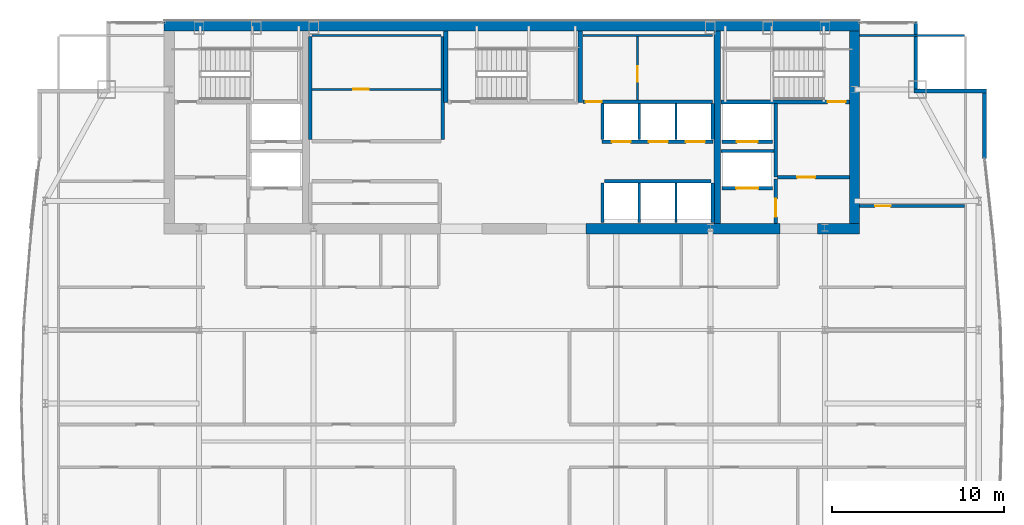
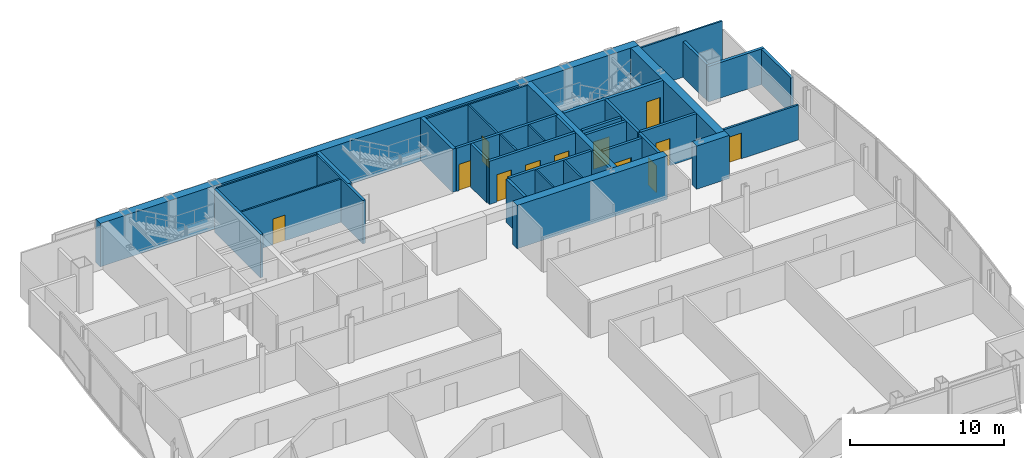
# One storey, part 26 of 29: 36 walls, 12 doors, 12 openings.
"""IFC4 building model written with IfcOpenShell, lengths in metres."""

from ifc_helpers import new_model, si_unit, direction, frame, frame_2d, origin, place, context, subcontext, project, spatial, rectangle, extrude, material, layer, layer_set, type_object, element, fill, save


model = new_model("IFC4")

# Units and contexts
model_context = context("Model", 3, precision=1e-05, world=origin(), true_north=direction((0.0, 1.0)))
body_context = subcontext(model_context, "Body", "Model", "MODEL_VIEW")
ifc_project = project(units=[si_unit("LENGTHUNIT", "METRE"), si_unit("AREAUNIT", "SQUARE_METRE"), si_unit("VOLUMEUNIT", "CUBIC_METRE"), si_unit("PLANEANGLEUNIT", "RADIAN"), si_unit("MASSUNIT", "GRAM", prefix="KILO")], contexts=[model_context])

# Site, building, storey
site_placement = place(None, origin())
site = spatial("IfcSite", under=ifc_project, at=site_placement, CompositionType="ELEMENT")
building_placement = place(site_placement, origin())
building = spatial("IfcBuilding", under=site, at=building_placement, Name="Khoronbel Lancet Exchange", CompositionType="ELEMENT")
storey_placement = place(building_placement, frame((0.0, 0.0, 242.60009765625)))
storey = spatial("IfcBuildingStorey", under=building, at=storey_placement, Name="L62", CompositionType="ELEMENT", Elevation=242.60009765625)

# Walls
ifc_material_1 = material(Name="Concrete C60/75", Category="concrete")
ifc_layer_1 = layer(ifc_material_1, 0.60009765625, Name="Concrete C60/75")
ifc_layer_set_1 = layer_set([ifc_layer_1], Name="Concrete C60/75")
wall_type_1 = type_object("IfcWallType", Name="WL-CW3", PredefinedType="SHEAR", material=ifc_layer_set_1)
wall_1_placement = place(storey_placement, frame((16.199951171875, 53.39990234375, 0.0), z_axis=(0.0, 0.0, 1.0), x_axis=(1.0, 0.0, 0.0)))
element("IfcWall", 1, at=wall_1_placement, inside=storey, type_object=wall_type_1, Name="Level L62 rear core north shear wall", PredefinedType="SHEAR", context=body_context, shape_type="SweptSolid", body=[
    extrude(rectangle(XDim=40.5, YDim=0.60009765625, at=frame_2d((20.25, 0.0))), origin(), (0.0, 0.0, 1.0), 3.43994140625),
])
wall_2_placement = place(storey_placement, frame((56.39990234375, 53.10009765625, 0.0), z_axis=(0.0, 0.0, 1.0), x_axis=(0.0, -1.0, 0.0)))
element("IfcWall", 2, at=wall_2_placement, inside=storey, type_object=wall_type_1, Name="Level L62 rear core east shear wall", PredefinedType="SHEAR", context=body_context, shape_type="SweptSolid", body=[
    extrude(rectangle(XDim=11.2001953125, YDim=0.60009765625, at=frame_2d((5.60009765625, 0.0))), origin(), (0.0, 0.0, 1.0), 3.43994140625),
])
wall_3_placement = place(storey_placement, frame((52.050048828125, 41.60009765625, 0.0), z_axis=(0.0, 0.0, 1.0), x_axis=(-1.0, 0.0, 0.0)))
element("IfcWall", 3, at=wall_3_placement, inside=storey, type_object=wall_type_1, Name="Level L62 rear core south shear wall pier P4", PredefinedType="SHEAR", context=body_context, shape_type="SweptSolid", body=[
    extrude(rectangle(XDim=11.300048828125, YDim=0.60009765625, at=frame_2d((5.64990234375, 0.0))), origin(), (0.0, 0.0, 1.0), 3.43994140625),
])
wall_4_placement = place(storey_placement, frame((56.699951171875, 41.60009765625, 0.0), z_axis=(0.0, 0.0, 1.0), x_axis=(-1.0, 0.0, 0.0)))
element("IfcWall", 4, at=wall_4_placement, inside=storey, type_object=wall_type_1, Name="Level L62 rear core south shear wall pier P5", PredefinedType="SHEAR", context=body_context, shape_type="SweptSolid", body=[
    extrude(rectangle(XDim=2.449951171875, YDim=0.60009765625, at=frame_2d((1.22509765625, 0.0))), origin(), (0.0, 0.0, 1.0), 3.43994140625),
])
ifc_material_2 = material(Name="Precast concrete C40/50", Category="concrete")
ifc_layer_2 = layer(ifc_material_2, 0.25, Name="Precast concrete C40/50")
ifc_layer_set_2 = layer_set([ifc_layer_2], Name="Precast concrete C40/50")
wall_type_2 = type_object("IfcWallType", Name="WL-EXT250", PredefinedType="SOLIDWALL", material=ifc_layer_set_2)
wall_5_placement = place(storey_placement, frame((59.9599609375, 53.6298828125, 0.0), z_axis=(0.0, 0.0, 1.0), x_axis=(0.0, -1.0, 0.0)))
element("IfcWall", 5, at=wall_5_placement, inside=storey, type_object=wall_type_2, Name="Level L62 notched-corner limestone pier 14", PredefinedType="SOLIDWALL", context=body_context, shape_type="SweptSolid", body=[
    extrude(rectangle(XDim=3.909912109375, YDim=0.219970703125, at=frame_2d((1.955078125, 0.0))), origin(), (0.0, 0.0, 1.0), 2.829833984375),
])
wall_6_placement = place(storey_placement, frame((59.85009765625, 49.610107421875, 0.0), z_axis=(0.0, 0.0, 1.0), x_axis=(1.0, 0.0, 0.0)))
element("IfcWall", 6, at=wall_6_placement, inside=storey, type_object=wall_type_2, Name="Level L62 notched-corner limestone pier 15", PredefinedType="SOLIDWALL", context=body_context, shape_type="SweptSolid", body=[
    extrude(rectangle(XDim=4.219970703125, YDim=0.219970703125, at=frame_2d((2.10986328125, 0.0))), origin(), (0.0, 0.0, 1.0), 2.829833984375),
])
wall_7_placement = place(storey_placement, frame((63.9599609375, 49.5, 0.0), z_axis=(0.0, 0.0, 1.0), x_axis=(0.0, -1.0, 0.0)))
element("IfcWall", 7, at=wall_7_placement, inside=storey, type_object=wall_type_2, Name="Level L62 notched-corner limestone pier 16", PredefinedType="SOLIDWALL", context=body_context, shape_type="SweptSolid", body=[
    extrude(rectangle(XDim=3.824951171875, YDim=0.219970703125, at=frame_2d((1.91259765625, 0.0))), origin(), (0.0, 0.0, 1.0), 2.829833984375),
])

# Wall, opening, door
ifc_material_3 = material(Name="Acoustic Metal-Stud & Mineral-Wool Gypsum Partition 120 mm", Category="gypsum")
ifc_layer_3 = layer(ifc_material_3, 0.1201171875, Name="Acoustic Metal-Stud & Mineral-Wool Gypsum Partition 120 mm")
ifc_layer_set_3 = layer_set([ifc_layer_3], Name="Acoustic Metal-Stud & Mineral-Wool Gypsum Partition 120 mm")
wall_type_3 = type_object("IfcWallType", Name="WL-PRT120", PredefinedType="PARTITIONING", material=ifc_layer_set_3)
wall_8_placement = place(storey_placement, frame((56.699951171875, 42.919921875, 0.0), z_axis=(0.0, 0.0, 1.0), x_axis=(1.0, 0.0, 0.0)))
wall_8 = element("IfcWall", 8, at=wall_8_placement, inside=storey, type_object=wall_type_3, Name="Level L62 interior partition PW-NE-H", PredefinedType="PARTITIONING", context=body_context, shape_type="SweptSolid", body=[
    extrude(rectangle(XDim=6.10498046875, YDim=0.14990234375, at=frame_2d((3.052490234375, 0.0))), origin(), (0.0, 0.0, 1.0), 2.77978515625),
])
opening_1_placement = place(wall_8_placement, frame((0.89990234375, 0.0, 0.0)))
opening_1 = element("IfcOpeningElement", 9, at=opening_1_placement, cuts=wall_8, Name="Opening D5", PredefinedType="OPENING", context=body_context, shape_type="SweptSolid", body=[
    extrude(rectangle(XDim=0.89990234375, YDim=2.050048828125, at=frame_2d((0.449951171875, 1.02490234375))), frame((0.0, 0.0849609375, 0.0), z_axis=(0.0, -1.0, 0.0), x_axis=(1.0, 0.0, 0.0)), (0.0, 0.0, 1.0), 0.169921875),
])
ifc_material_4 = material(Name="Acoustic Timber Pantry & Support Door", Category="wood")
door_type_1 = type_object("IfcDoorType", Name="DR-D5", OperationType="NOTDEFINED", PredefinedType="DOOR", material=ifc_material_4)
door_1_placement = place(opening_1_placement, origin())
door_1 = element("IfcDoor", 10, at=door_1_placement, inside=storey, type_object=door_type_1, Name="NE north room door L62-1", OperationType="SINGLE_SWING_LEFT", OverallHeight=2.050048828125, OverallWidth=0.89990234375, PredefinedType="DOOR", context=body_context, shape_type="SweptSolid", body=[
    extrude(rectangle(XDim=0.89990234375, YDim=2.050048828125, at=frame_2d((0.449951171875, 1.02490234375))), frame((0.0, 0.02490234375, 0.0), z_axis=(0.0, -1.0, 0.0), x_axis=(1.0, 0.0, 0.0)), (0.0, 0.0, 1.0), 0.050048828125),
])
fill(opening_1, door_1)

# Walls
wall_9_placement = place(storey_placement, frame((56.699951171875, 52.840087890625, 0.0), z_axis=(0.0, 0.0, 1.0), x_axis=(1.0, 0.0, 0.0)))
element("IfcWall", 11, at=wall_9_placement, inside=storey, type_object=wall_type_3, Name="Level L62 interior partition PW-LIN-NE", PredefinedType="PARTITIONING", context=body_context, shape_type="SweptSolid", body=[
    extrude(rectangle(XDim=6.10498046875, YDim=0.1201171875, at=frame_2d((3.052490234375, 0.0))), origin(), (0.0, 0.0, 1.0), 3.43994140625),
])
ifc_material_5 = material(Name="Fire-Rated Metal-Stud & Mineral-Wool Gypsum Partition 120 mm", Category="gypsum")
ifc_layer_4 = layer(ifc_material_5, 0.1201171875, Name="Fire-Rated Metal-Stud & Mineral-Wool Gypsum Partition 120 mm")
ifc_layer_set_4 = layer_set([ifc_layer_4], Name="Fire-Rated Metal-Stud & Mineral-Wool Gypsum Partition 120 mm")
wall_type_4 = type_object("IfcWallType", Name="WL-PRT120F", PredefinedType="PARTITIONING", material=ifc_layer_set_4)
wall_10_placement = place(storey_placement, frame((24.804931640625, 52.860107421875, 0.0), z_axis=(0.0, 0.0, 1.0), x_axis=(1.0, 0.0, 0.0)))
element("IfcWall", 12, at=wall_10_placement, inside=storey, type_object=wall_type_4, Name="Level L62 interior partition CW-PL-RN", PredefinedType="PARTITIONING", context=body_context, shape_type="SweptSolid", body=[
    extrude(rectangle(XDim=7.510009765625, YDim=0.1201171875, at=frame_2d((3.7548828125, 0.0))), origin(), (0.0, 0.0, 1.0), 3.43994140625),
])

# Wall, opening, door
wall_11_placement = place(storey_placement, frame((24.804931640625, 49.708740234375, 0.0), z_axis=(0.0, 0.0, 1.0), x_axis=(1.0, 0.0, 0.0)))
wall_11 = element("IfcWall", 13, at=wall_11_placement, inside=storey, type_object=wall_type_4, Name="Level L62 interior partition CW-PL-RH", PredefinedType="PARTITIONING", context=body_context, shape_type="SweptSolid", body=[
    extrude(rectangle(XDim=7.510009765625, YDim=0.1201171875, at=frame_2d((3.7548828125, 0.0))), origin(), (0.0, 0.0, 1.0), 3.43994140625),
])
opening_2_placement = place(wall_11_placement, frame((2.39990234375, 0.0, 0.0)))
opening_2 = element("IfcOpeningElement", 14, at=opening_2_placement, cuts=wall_11, Name="Opening FD4", PredefinedType="OPENING", context=body_context, shape_type="SweptSolid", body=[
    extrude(rectangle(XDim=0.89990234375, YDim=2.050048828125, at=frame_2d((0.449951171875, 1.02490234375))), frame((0.0, 0.070068359375, 0.0), z_axis=(0.0, -1.0, 0.0), x_axis=(1.0, 0.0, 0.0)), (0.0, 0.0, 1.0), 0.14013671875),
])
ifc_material_6 = material(Name="Fire-Rated Steel Core Support Door Assembly", Category="steel")
door_type_2 = type_object("IfcDoorType", Name="DR-FD4", OperationType="NOTDEFINED", PredefinedType="DOOR", material=ifc_material_6)
door_2_placement = place(opening_2_placement, origin())
door_2 = element("IfcDoor", 15, at=door_2_placement, inside=storey, type_object=door_type_2, Name="Core PL inner store door L62-1", OperationType="SINGLE_SWING_LEFT", OverallHeight=2.050048828125, OverallWidth=0.89990234375, PredefinedType="DOOR", context=body_context, shape_type="SweptSolid", body=[
    extrude(rectangle(XDim=0.89990234375, YDim=2.050048828125, at=frame_2d((0.449951171875, 1.02490234375))), frame((0.0, 0.02490234375, 0.0), z_axis=(0.0, -1.0, 0.0), x_axis=(1.0, 0.0, 0.0)), (0.0, 0.0, 1.0), 0.050048828125),
])
fill(opening_2, door_2)

# Walls
for number, where, z_axis, x_axis, name in (
    (16, (43.860107421875, 46.800048828125, 0.0), (0.0, 0.0, 1.0), (0.0, 1.0, 0.0), "Level L62 interior partition CW-PH-D1"),
    (17, (46.0, 46.800048828125, 0.0), (0.0, 0.0, 1.0), (0.0, 1.0, 0.0), "Level L62 interior partition CW-PH-D2"),
):
    element("IfcWall", number, at=place(storey_placement, frame(where, z_axis=z_axis, x_axis=x_axis)), inside=storey, type_object=wall_type_4, Name=name, PredefinedType="PARTITIONING", context=body_context, shape_type="SweptSolid", body=[
        extrude(rectangle(XDim=2.094970703125, YDim=0.1201171875, at=frame_2d((1.04736328125, 0.0))), origin(), (0.0, 0.0, 1.0), 3.43994140625),
    ])
for number, where, z_axis, x_axis, name in (
    (18, (43.860107421875, 41.949951171875, 0.0), (0.0, 0.0, 1.0), (0.0, 1.0, 0.0), "Level L62 interior partition CW-PX-D1"),
    (19, (46.0, 41.949951171875, 0.0), (0.0, 0.0, 1.0), (0.0, 1.0, 0.0), "Level L62 interior partition CW-PX-D2"),
):
    element("IfcWall", number, at=place(storey_placement, frame(where, z_axis=z_axis, x_axis=x_axis)), inside=storey, type_object=wall_type_4, Name=name, PredefinedType="PARTITIONING", context=body_context, shape_type="SweptSolid", body=[
        extrude(rectangle(XDim=2.295166015625, YDim=0.1201171875, at=frame_2d((1.1474609375, 0.0))), origin(), (0.0, 0.0, 1.0), 3.43994140625),
    ])
wall_12_placement = place(storey_placement, frame((40.580078125, 52.860107421875, 0.0), z_axis=(0.0, 0.0, 1.0), x_axis=(1.0, 0.0, 0.0)))
element("IfcWall", 20, at=wall_12_placement, inside=storey, type_object=wall_type_4, Name="Level L62 interior partition CW-SUP-NE-N", PredefinedType="PARTITIONING", context=body_context, shape_type="SweptSolid", body=[
    extrude(rectangle(XDim=7.559814453125, YDim=0.1201171875, at=frame_2d((3.77978515625, 0.0))), origin(), (0.0, 0.0, 1.0), 3.43994140625),
])

# Wall, opening, door
wall_13_placement = place(storey_placement, frame((43.755126953125, 49.10498046875, 0.0), z_axis=(0.0, 0.0, 1.0), x_axis=(0.0, 1.0, 0.0)))
wall_13 = element("IfcWall", 21, at=wall_13_placement, inside=storey, type_object=wall_type_4, Name="Level L62 interior partition CW-SUP-NE-M", PredefinedType="PARTITIONING", context=body_context, shape_type="SweptSolid", body=[
    extrude(rectangle(XDim=3.68994140625, YDim=0.1201171875, at=frame_2d((1.844970703125, 0.0))), origin(), (0.0, 0.0, 1.0), 3.43994140625),
])
opening_3_placement = place(wall_13_placement, frame((1.050048828125, 0.0, 0.0)))
opening_3 = element("IfcOpeningElement", 22, at=opening_3_placement, cuts=wall_13, Name="Opening FD4", PredefinedType="OPENING", context=body_context, shape_type="SweptSolid", body=[
    extrude(rectangle(XDim=0.89990234375, YDim=2.050048828125, at=frame_2d((0.449951171875, 1.02490234375))), frame((0.0, 0.070068359375, 0.0), z_axis=(0.0, -1.0, 0.0), x_axis=(1.0, 0.0, 0.0)), (0.0, 0.0, 1.0), 0.14013671875),
])
door_3_placement = place(opening_3_placement, origin())
door_3 = element("IfcDoor", 23, at=door_3_placement, inside=storey, type_object=door_type_2, Name="Core NE inner support door L62-1", OperationType="SINGLE_SWING_RIGHT", OverallHeight=2.050048828125, OverallWidth=0.89990234375, PredefinedType="DOOR", context=body_context, shape_type="SweptSolid", body=[
    extrude(rectangle(XDim=0.89990234375, YDim=2.050048828125, at=frame_2d((0.449951171875, 1.02490234375))), frame((0.0, 0.02490234375, 0.0), z_axis=(0.0, -1.0, 0.0), x_axis=(1.0, 0.0, 0.0)), (0.0, 0.0, 1.0), 0.050048828125),
])
fill(opening_3, door_3)

ifc_material_7 = material(Name="Autoclaved Aerated Concrete Blockwork 200 mm", Category="masonry")
ifc_layer_5 = layer(ifc_material_7, 0.199951171875, Name="Autoclaved Aerated Concrete Blockwork 200 mm")
ifc_layer_set_5 = layer_set([ifc_layer_5], Name="Autoclaved Aerated Concrete Blockwork 200 mm")
wall_type_5 = type_object("IfcWallType", Name="WL-PRT200", PredefinedType="PARTITIONING", material=ifc_layer_set_5)
wall_14_placement = place(storey_placement, frame((51.610107421875, 43.949951171875, 0.0), z_axis=(0.0, 0.0, 1.0), x_axis=(-1.0, 0.0, 0.0)))
wall_14 = element("IfcWall", 24, at=wall_14_placement, inside=storey, type_object=wall_type_5, Name="Level L62 elevator hoistway landing front wall SVLE", PredefinedType="PARTITIONING", context=body_context, shape_type="SweptSolid", body=[
    extrude(rectangle(XDim=2.920166015625, YDim=0.199951171875, at=frame_2d((1.4599609375, 0.0))), origin(), (0.0, 0.0, 1.0), 3.43994140625),
])
opening_4_placement = place(wall_14_placement, frame((0.81005859375, 0.0, 0.0)))
opening_4 = element("IfcOpeningElement", 25, at=opening_4_placement, cuts=wall_14, Name="Opening LD-SVL2", PredefinedType="OPENING", context=body_context, shape_type="SweptSolid", body=[
    extrude(rectangle(XDim=1.300048828125, YDim=2.179931640625, at=frame_2d((0.64990234375, 1.08984375))), frame((0.0, 0.10986328125, 0.0), z_axis=(0.0, -1.0, 0.0), x_axis=(1.0, 0.0, 0.0)), (0.0, 0.0, 1.0), 0.219970703125),
])
ifc_material_8 = material(Name="Heavy-Duty Bi-Parting Goods Lift Landing Door", Category="steel")
door_type_3 = type_object("IfcDoorType", Name="DR-LD-SVL", OperationType="NOTDEFINED", PredefinedType="DOOR", material=ifc_material_8)
door_4_placement = place(opening_4_placement, origin())
door_4 = element("IfcDoor", 26, at=door_4_placement, inside=storey, type_object=door_type_3, Name="Elevator landing sliding door LD-SVL2 L62", OperationType="SLIDING_TO_LEFT", OverallHeight=2.179931640625, OverallWidth=1.300048828125, PredefinedType="DOOR", context=body_context, shape_type="SweptSolid", body=[
    extrude(rectangle(XDim=1.300048828125, YDim=2.179931640625, at=frame_2d((0.64990234375, 1.08984375))), frame((0.0, 0.02490234375, 0.0), z_axis=(0.0, -1.0, 0.0), x_axis=(1.0, 0.0, 0.0)), (0.0, 0.0, 1.0), 0.050048828125),
])
fill(opening_4, door_4)

wall_15_placement = place(storey_placement, frame((51.610107421875, 46.64990234375, 0.0), z_axis=(0.0, 0.0, 1.0), x_axis=(-1.0, 0.0, 0.0)))
wall_15 = element("IfcWall", 27, at=wall_15_placement, inside=storey, type_object=wall_type_5, Name="Level L62 elevator hoistway landing front wall FFLE", PredefinedType="PARTITIONING", context=body_context, shape_type="SweptSolid", body=[
    extrude(rectangle(XDim=2.920166015625, YDim=0.199951171875, at=frame_2d((1.4599609375, 0.0))), origin(), (0.0, 0.0, 1.0), 3.43994140625),
])
opening_5_placement = place(wall_15_placement, frame((0.860107421875, 0.0, 0.0)))
opening_5 = element("IfcOpeningElement", 28, at=opening_5_placement, cuts=wall_15, Name="Opening LD-FFL2", PredefinedType="OPENING", context=body_context, shape_type="SweptSolid", body=[
    extrude(rectangle(XDim=1.199951171875, YDim=2.179931640625, at=frame_2d((0.60009765625, 1.08984375))), frame((0.0, 0.10986328125, 0.0), z_axis=(0.0, -1.0, 0.0), x_axis=(1.0, 0.0, 0.0)), (0.0, 0.0, 1.0), 0.219970703125),
])
ifc_material_9 = material(Name="Fire-Rated Stainless Bi-Parting Firefighting Lift Door", Category="steel")
door_type_4 = type_object("IfcDoorType", Name="DR-LD-FFL", OperationType="NOTDEFINED", PredefinedType="DOOR", material=ifc_material_9)
door_5_placement = place(opening_5_placement, origin())
door_5 = element("IfcDoor", 29, at=door_5_placement, inside=storey, type_object=door_type_4, Name="Elevator landing sliding door LD-FFL2 L62", OperationType="SLIDING_TO_LEFT", OverallHeight=2.179931640625, OverallWidth=1.199951171875, PredefinedType="DOOR", context=body_context, shape_type="SweptSolid", body=[
    extrude(rectangle(XDim=1.199951171875, YDim=2.179931640625, at=frame_2d((0.60009765625, 1.08984375))), frame((0.0, 0.02490234375, 0.0), z_axis=(0.0, -1.0, 0.0), x_axis=(1.0, 0.0, 0.0)), (0.0, 0.0, 1.0), 0.050048828125),
])
fill(opening_5, door_5)

# Wall, openings, doors
wall_16_placement = place(storey_placement, frame((48.159912109375, 46.64990234375, 0.0), z_axis=(0.0, 0.0, 1.0), x_axis=(-1.0, 0.0, 0.0)))
wall_16 = element("IfcWall", 30, at=wall_16_placement, inside=storey, type_object=wall_type_5, Name="Level L62 elevator hoistway landing front wall PHE", PredefinedType="PARTITIONING", context=body_context, shape_type="SweptSolid", body=[
    extrude(rectangle(XDim=6.47998046875, YDim=0.199951171875, at=frame_2d((3.239990234375, 0.0))), origin(), (0.0, 0.0, 1.0), 3.43994140625),
])
opening_6_placement = place(wall_16_placement, frame((4.800048828125, 0.0, 0.0)))
opening_6 = element("IfcOpeningElement", 31, at=opening_6_placement, cuts=wall_16, Name="Opening LD-PH1", PredefinedType="OPENING", context=body_context, shape_type="SweptSolid", body=[
    extrude(rectangle(XDim=1.10009765625, YDim=2.179931640625, at=frame_2d((0.550048828125, 1.08984375))), frame((0.0, 0.10986328125, 0.0), z_axis=(0.0, -1.0, 0.0), x_axis=(1.0, 0.0, 0.0)), (0.0, 0.0, 1.0), 0.219970703125),
])
opening_7_placement = place(wall_16_placement, frame((2.639892578125, 0.0, 0.0)))
opening_7 = element("IfcOpeningElement", 32, at=opening_7_placement, cuts=wall_16, Name="Opening LD-PH2", PredefinedType="OPENING", context=body_context, shape_type="SweptSolid", body=[
    extrude(rectangle(XDim=1.10009765625, YDim=2.179931640625, at=frame_2d((0.550048828125, 1.08984375))), frame((0.0, 0.10986328125, 0.0), z_axis=(0.0, -1.0, 0.0), x_axis=(1.0, 0.0, 0.0)), (0.0, 0.0, 1.0), 0.219970703125),
])
opening_8_placement = place(wall_16_placement, frame((0.47998046875, 0.0, 0.0)))
opening_8 = element("IfcOpeningElement", 33, at=opening_8_placement, cuts=wall_16, Name="Opening LD-PH3", PredefinedType="OPENING", context=body_context, shape_type="SweptSolid", body=[
    extrude(rectangle(XDim=1.10009765625, YDim=2.179931640625, at=frame_2d((0.550048828125, 1.08984375))), frame((0.0, 0.10986328125, 0.0), z_axis=(0.0, -1.0, 0.0), x_axis=(1.0, 0.0, 0.0)), (0.0, 0.0, 1.0), 0.219970703125),
])
ifc_material_10 = material(Name="Brushed Bronze Bi-Parting Elevator Landing Door", Category="steel")
door_type_5 = type_object("IfcDoorType", Name="DR-LD-PAX", OperationType="NOTDEFINED", PredefinedType="DOOR", material=ifc_material_10)
door_6_placement = place(opening_6_placement, origin())
door_6 = element("IfcDoor", 34, at=door_6_placement, inside=storey, type_object=door_type_5, Name="Elevator landing sliding door LD-PH1 L62", OperationType="SLIDING_TO_LEFT", OverallHeight=2.179931640625, OverallWidth=1.10009765625, PredefinedType="DOOR", context=body_context, shape_type="SweptSolid", body=[
    extrude(rectangle(XDim=1.10009765625, YDim=2.179931640625, at=frame_2d((0.550048828125, 1.08984375))), frame((0.0, 0.02490234375, 0.0), z_axis=(0.0, -1.0, 0.0), x_axis=(1.0, 0.0, 0.0)), (0.0, 0.0, 1.0), 0.050048828125),
])
fill(opening_6, door_6)
door_7_placement = place(opening_7_placement, origin())
door_7 = element("IfcDoor", 35, at=door_7_placement, inside=storey, type_object=door_type_5, Name="Elevator landing sliding door LD-PH2 L62", OperationType="SLIDING_TO_LEFT", OverallHeight=2.179931640625, OverallWidth=1.10009765625, PredefinedType="DOOR", context=body_context, shape_type="SweptSolid", body=[
    extrude(rectangle(XDim=1.10009765625, YDim=2.179931640625, at=frame_2d((0.550048828125, 1.08984375))), frame((0.0, 0.02490234375, 0.0), z_axis=(0.0, -1.0, 0.0), x_axis=(1.0, 0.0, 0.0)), (0.0, 0.0, 1.0), 0.050048828125),
])
fill(opening_7, door_7)
door_8_placement = place(opening_8_placement, origin())
door_8 = element("IfcDoor", 36, at=door_8_placement, inside=storey, type_object=door_type_5, Name="Elevator landing sliding door LD-PH3 L62", OperationType="SLIDING_TO_LEFT", OverallHeight=2.179931640625, OverallWidth=1.10009765625, PredefinedType="DOOR", context=body_context, shape_type="SweptSolid", body=[
    extrude(rectangle(XDim=1.10009765625, YDim=2.179931640625, at=frame_2d((0.550048828125, 1.08984375))), frame((0.0, 0.02490234375, 0.0), z_axis=(0.0, -1.0, 0.0), x_axis=(1.0, 0.0, 0.0)), (0.0, 0.0, 1.0), 0.050048828125),
])
fill(opening_8, door_8)

# Wall
wall_17_placement = place(storey_placement, frame((51.800048828125, 44.60009765625, 0.0), z_axis=(0.0, 0.0, 1.0), x_axis=(0.0, 1.0, 0.0)))
element("IfcWall", 37, at=wall_17_placement, inside=storey, type_object=wall_type_5, Name="Level L62 interior partition CW-FFLE-W", PredefinedType="PARTITIONING", context=body_context, shape_type="SweptSolid", body=[
    extrude(rectangle(XDim=4.2998046875, YDim=0.199951171875, at=frame_2d((2.14990234375, 0.0))), origin(), (0.0, 0.0, 1.0), 3.43994140625),
])

# Wall, opening, door
wall_18_placement = place(storey_placement, frame((51.89990234375, 44.60009765625, 0.0), z_axis=(0.0, 0.0, 1.0), x_axis=(1.0, 0.0, 0.0)))
wall_18 = element("IfcWall", 38, at=wall_18_placement, inside=storey, type_object=wall_type_5, Name="Level L62 interior partition CW-FFLE-S", PredefinedType="PARTITIONING", context=body_context, shape_type="SweptSolid", body=[
    extrude(rectangle(XDim=4.2001953125, YDim=0.199951171875, at=frame_2d((2.10009765625, 0.0))), origin(), (0.0, 0.0, 1.0), 3.43994140625),
])
opening_9_placement = place(wall_18_placement, frame((1.14990234375, 0.0, 0.0)))
opening_9 = element("IfcOpeningElement", 39, at=opening_9_placement, cuts=wall_18, Name="Opening FD1", PredefinedType="OPENING", context=body_context, shape_type="SweptSolid", body=[
    extrude(rectangle(XDim=1.050048828125, YDim=2.14990234375, at=frame_2d((0.52490234375, 1.074951171875))), frame((0.0, 0.10986328125, 0.0), z_axis=(0.0, -1.0, 0.0), x_axis=(1.0, 0.0, 0.0)), (0.0, 0.0, 1.0), 0.219970703125),
])
ifc_material_11 = material(Name="Fire-Rated Painted Steel Door Assembly", Category="steel")
door_type_6 = type_object("IfcDoorType", Name="DR-FD1", OperationType="NOTDEFINED", PredefinedType="DOOR", material=ifc_material_11)
door_9_placement = place(opening_9_placement, origin())
door_9 = element("IfcDoor", 40, at=door_9_placement, inside=storey, type_object=door_type_6, Name="East firefighting lobby FD90S door L62-1", OperationType="SINGLE_SWING_LEFT", OverallHeight=2.14990234375, OverallWidth=1.050048828125, PredefinedType="DOOR", context=body_context, shape_type="SweptSolid", body=[
    extrude(rectangle(XDim=1.050048828125, YDim=2.14990234375, at=frame_2d((0.52490234375, 1.074951171875))), frame((0.0, 0.02490234375, 0.0), z_axis=(0.0, -1.0, 0.0), x_axis=(1.0, 0.0, 0.0)), (0.0, 0.0, 1.0), 0.050048828125),
])
fill(opening_9, door_9)

# Wall
wall_19_placement = place(storey_placement, frame((48.6298828125, 46.1201171875, 0.0), z_axis=(0.0, 0.0, 1.0), x_axis=(1.0, 0.0, 0.0)))
element("IfcWall", 41, at=wall_19_placement, inside=storey, type_object=wall_type_5, Name="Level L62 interior partition CW-FFL2-S", PredefinedType="PARTITIONING", context=body_context, shape_type="SweptSolid", body=[
    extrude(rectangle(XDim=3.070068359375, YDim=0.199951171875, at=frame_2d((1.53515625, 0.0))), origin(), (0.0, 0.0, 1.0), 3.43994140625),
])

# Wall, opening, door
wall_20_placement = place(storey_placement, frame((51.800048828125, 41.89990234375, 0.0), z_axis=(0.0, 0.0, 1.0), x_axis=(0.0, 1.0, 0.0)))
wall_20 = element("IfcWall", 42, at=wall_20_placement, inside=storey, type_object=wall_type_5, Name="Level L62 interior partition CW-SVLE-E", PredefinedType="PARTITIONING", context=body_context, shape_type="SweptSolid", body=[
    extrude(rectangle(XDim=2.59521484375, YDim=0.199951171875, at=frame_2d((1.297607421875, 0.0))), origin(), (0.0, 0.0, 1.0), 3.43994140625),
])
opening_10_placement = place(wall_20_placement, frame((0.3798828125, 0.0, 0.0)))
opening_10 = element("IfcOpeningElement", 43, at=opening_10_placement, cuts=wall_20, Name="Opening FD1", PredefinedType="OPENING", context=body_context, shape_type="SweptSolid", body=[
    extrude(rectangle(XDim=1.050048828125, YDim=2.14990234375, at=frame_2d((0.52490234375, 1.074951171875))), frame((0.0, 0.10986328125, 0.0), z_axis=(0.0, -1.0, 0.0), x_axis=(1.0, 0.0, 0.0)), (0.0, 0.0, 1.0), 0.219970703125),
])
door_10_placement = place(opening_10_placement, origin())
door_10 = element("IfcDoor", 44, at=door_10_placement, inside=storey, type_object=door_type_6, Name="East service lift lobby door L62-1", OperationType="SINGLE_SWING_RIGHT", OverallHeight=2.14990234375, OverallWidth=1.050048828125, PredefinedType="DOOR", context=body_context, shape_type="SweptSolid", body=[
    extrude(rectangle(XDim=1.050048828125, YDim=2.14990234375, at=frame_2d((0.52490234375, 1.074951171875))), frame((0.0, 0.02490234375, 0.0), z_axis=(0.0, -1.0, 0.0), x_axis=(1.0, 0.0, 0.0)), (0.0, 0.0, 1.0), 0.050048828125),
])
fill(opening_10, door_10)

# Walls
for number, where, z_axis, x_axis, name in (
    (45, (24.699951171875, 46.804931640625, 0.0), (0.0, 0.0, 1.0), (0.0, 1.0, 0.0), "Level L62 interior partition CW-PL-RW"),
    (46, (32.419921875, 46.804931640625, 0.0), (0.0, 0.0, 1.0), (0.0, 1.0, 0.0), "Level L62 interior partition CW-PL-RE"),
):
    element("IfcWall", number, at=place(storey_placement, frame(where, z_axis=z_axis, x_axis=x_axis)), inside=storey, type_object=wall_type_5, Name=name, PredefinedType="PARTITIONING", context=body_context, shape_type="SweptSolid", body=[
        extrude(rectangle(XDim=5.989990234375, YDim=0.199951171875, at=frame_2d((2.9951171875, 0.0))), origin(), (0.0, 0.0, 1.0), 3.43994140625),
    ])
for number, where, z_axis, x_axis, name in (
    (47, (41.719970703125, 46.800048828125, 0.0), (0.0, 0.0, 1.0), (0.0, 1.0, 0.0), "Level L62 interior partition CW-PH-W"),
    (48, (48.139892578125, 46.800048828125, 0.0), (0.0, 0.0, 1.0), (0.0, 1.0, 0.0), "Level L62 interior partition CW-PH-E"),
):
    element("IfcWall", number, at=place(storey_placement, frame(where, z_axis=z_axis, x_axis=x_axis)), inside=storey, type_object=wall_type_5, Name=name, PredefinedType="PARTITIONING", context=body_context, shape_type="SweptSolid", body=[
        extrude(rectangle(XDim=2.094970703125, YDim=0.199951171875, at=frame_2d((1.04736328125, 0.0))), origin(), (0.0, 0.0, 1.0), 3.43994140625),
    ])
wall_21_placement = place(storey_placement, frame((41.824951171875, 44.35009765625, 0.0), z_axis=(0.0, 0.0, 1.0), x_axis=(1.0, 0.0, 0.0)))
element("IfcWall", 49, at=wall_21_placement, inside=storey, type_object=wall_type_5, Name="Level L62 interior partition CW-PX-EXP", PredefinedType="PARTITIONING", context=body_context, shape_type="SweptSolid", body=[
    extrude(rectangle(XDim=6.2099609375, YDim=0.199951171875, at=frame_2d((3.10498046875, 0.0))), origin(), (0.0, 0.0, 1.0), 3.43994140625),
])
for number, where, z_axis, x_axis, name in (
    (50, (41.719970703125, 41.949951171875, 0.0), (0.0, 0.0, 1.0), (0.0, 1.0, 0.0), "Level L62 interior partition CW-PX-W"),
    (51, (48.139892578125, 41.949951171875, 0.0), (0.0, 0.0, 1.0), (0.0, 1.0, 0.0), "Level L62 interior partition CW-PX-E"),
):
    element("IfcWall", number, at=place(storey_placement, frame(where, z_axis=z_axis, x_axis=x_axis)), inside=storey, type_object=wall_type_5, Name=name, PredefinedType="PARTITIONING", context=body_context, shape_type="SweptSolid", body=[
        extrude(rectangle(XDim=2.295166015625, YDim=0.199951171875, at=frame_2d((1.1474609375, 0.0))), origin(), (0.0, 0.0, 1.0), 3.43994140625),
    ])

# Wall, opening, door
wall_22_placement = place(storey_placement, frame((40.580078125, 49.0, 0.0), z_axis=(0.0, 0.0, 1.0), x_axis=(1.0, 0.0, 0.0)))
wall_22 = element("IfcWall", 52, at=wall_22_placement, inside=storey, type_object=wall_type_5, Name="Level L62 interior partition CW-SUP-NE-S", PredefinedType="PARTITIONING", context=body_context, shape_type="SweptSolid", body=[
    extrude(rectangle(XDim=7.559814453125, YDim=0.199951171875, at=frame_2d((3.77978515625, 0.0))), origin(), (0.0, 0.0, 1.0), 3.43994140625),
])
opening_11_placement = place(wall_22_placement, frame((0.159912109375, 0.0, 0.0)))
opening_11 = element("IfcOpeningElement", 53, at=opening_11_placement, cuts=wall_22, Name="Opening FD3", PredefinedType="OPENING", context=body_context, shape_type="SweptSolid", body=[
    extrude(rectangle(XDim=0.949951171875, YDim=2.10009765625, at=frame_2d((0.47509765625, 1.050048828125))), frame((0.0, 0.10986328125, 0.0), z_axis=(0.0, -1.0, 0.0), x_axis=(1.0, 0.0, 0.0)), (0.0, 0.0, 1.0), 0.219970703125),
])
ifc_material_12 = material(Name="Fire-Rated Steel Plant & Riser Door Assembly", Category="steel")
door_type_7 = type_object("IfcDoorType", Name="DR-FD3", OperationType="NOTDEFINED", PredefinedType="DOOR", material=ifc_material_12)
door_11_placement = place(opening_11_placement, origin())
door_11 = element("IfcDoor", 54, at=door_11_placement, inside=storey, type_object=door_type_7, Name="Core NE support room door L62-1", OperationType="SINGLE_SWING_LEFT", OverallHeight=2.10009765625, OverallWidth=0.949951171875, PredefinedType="DOOR", context=body_context, shape_type="SweptSolid", body=[
    extrude(rectangle(XDim=0.949951171875, YDim=2.10009765625, at=frame_2d((0.47509765625, 1.050048828125))), frame((0.0, 0.02490234375, 0.0), z_axis=(0.0, -1.0, 0.0), x_axis=(1.0, 0.0, 0.0)), (0.0, 0.0, 1.0), 0.050048828125),
])
fill(opening_11, door_11)

# Walls
ifc_layer_6 = layer(ifc_material_1, 0.39990234375, Name="Concrete C60/75")
ifc_layer_set_6 = layer_set([ifc_layer_6], Name="Concrete C60/75")
wall_type_6 = type_object("IfcWallType", Name="WL-SW2", PredefinedType="SHEAR", material=ifc_layer_set_6)
wall_23_placement = place(storey_placement, frame((48.39990234375, 41.89990234375, 0.0), z_axis=(0.0, 0.0, 1.0), x_axis=(0.0, 1.0, 0.0)))
element("IfcWall", 55, at=wall_23_placement, inside=storey, type_object=wall_type_6, Name="Level L62 rear core internal spine shear wall IE", PredefinedType="SHEAR", context=body_context, shape_type="SweptSolid", body=[
    extrude(rectangle(XDim=11.2001953125, YDim=0.39990234375, at=frame_2d((5.60009765625, 0.0))), origin(), (0.0, 0.0, 1.0), 3.43994140625),
])
ifc_layer_7 = layer(ifc_material_1, 0.260009765625, Name="Concrete C60/75")
ifc_layer_set_7 = layer_set([ifc_layer_7], Name="Concrete C60/75")
wall_type_7 = type_object("IfcWallType", Name="WL-SW3", PredefinedType="SHEAR", material=ifc_layer_set_7)
for number, where, z_axis, x_axis, name in (
    (56, (32.580078125, 48.949951171875, 0.0), (0.0, 0.0, 1.0), (0.0, 1.0, 0.0), "Level L62 central stairwell structural shear wall ST3W"),
    (57, (40.419921875, 48.949951171875, 0.0), (0.0, 0.0, 1.0), (0.0, 1.0, 0.0), "Level L62 central stairwell structural shear wall ST3E"),
):
    element("IfcWall", number, at=place(storey_placement, frame(where, z_axis=z_axis, x_axis=x_axis)), inside=storey, type_object=wall_type_7, Name=name, PredefinedType="SHEAR", context=body_context, shape_type="SweptSolid", body=[
        extrude(rectangle(XDim=4.150146484375, YDim=0.260009765625, at=frame_2d((2.0751953125, 0.0))), origin(), (0.0, 0.0, 1.0), 3.43994140625),
    ])

# Wall, opening, door
wall_24_placement = place(storey_placement, frame((48.6298828125, 48.97998046875, 0.0), z_axis=(0.0, 0.0, 1.0), x_axis=(1.0, 0.0, 0.0)))
wall_24 = element("IfcWall", 58, at=wall_24_placement, inside=storey, type_object=wall_type_7, Name="Level L62 east stairwell structural south wall", PredefinedType="SHEAR", context=body_context, shape_type="SweptSolid", body=[
    extrude(rectangle(XDim=7.47021484375, YDim=0.239990234375, at=frame_2d((3.735107421875, 0.0))), origin(), (0.0, 0.0, 1.0), 3.43994140625),
])
opening_12_placement = place(wall_24_placement, frame((6.199951171875, 0.0, 0.0)))
opening_12 = element("IfcOpeningElement", 59, at=opening_12_placement, cuts=wall_24, Name="Opening SD1", PredefinedType="OPENING", context=body_context, shape_type="SweptSolid", body=[
    extrude(rectangle(XDim=1.050048828125, YDim=2.14990234375, at=frame_2d((0.52490234375, 1.074951171875))), frame((0.0, 0.1298828125, 0.0), z_axis=(0.0, -1.0, 0.0), x_axis=(1.0, 0.0, 0.0)), (0.0, 0.0, 1.0), 0.260009765625),
])
ifc_material_13 = material(Name="Fire-Rated Steel Stairwell Door Assembly", Category="steel")
door_type_8 = type_object("IfcDoorType", Name="DR-SD1", OperationType="NOTDEFINED", PredefinedType="DOOR", material=ifc_material_13)
door_12_placement = place(opening_12_placement, origin())
door_12 = element("IfcDoor", 60, at=door_12_placement, inside=storey, type_object=door_type_8, Name="Protected exit stair ST2 door L62", OperationType="SINGLE_SWING_RIGHT", OverallHeight=2.14990234375, OverallWidth=1.050048828125, PredefinedType="DOOR", context=body_context, shape_type="SweptSolid", body=[
    extrude(rectangle(XDim=1.050048828125, YDim=2.14990234375, at=frame_2d((0.52490234375, 1.074951171875))), frame((0.0, 0.02490234375, 0.0), z_axis=(0.0, -1.0, 0.0), x_axis=(1.0, 0.0, 0.0)), (0.0, 0.0, 1.0), 0.050048828125),
])
fill(opening_12, door_12)

save(model, "model.ifc")
